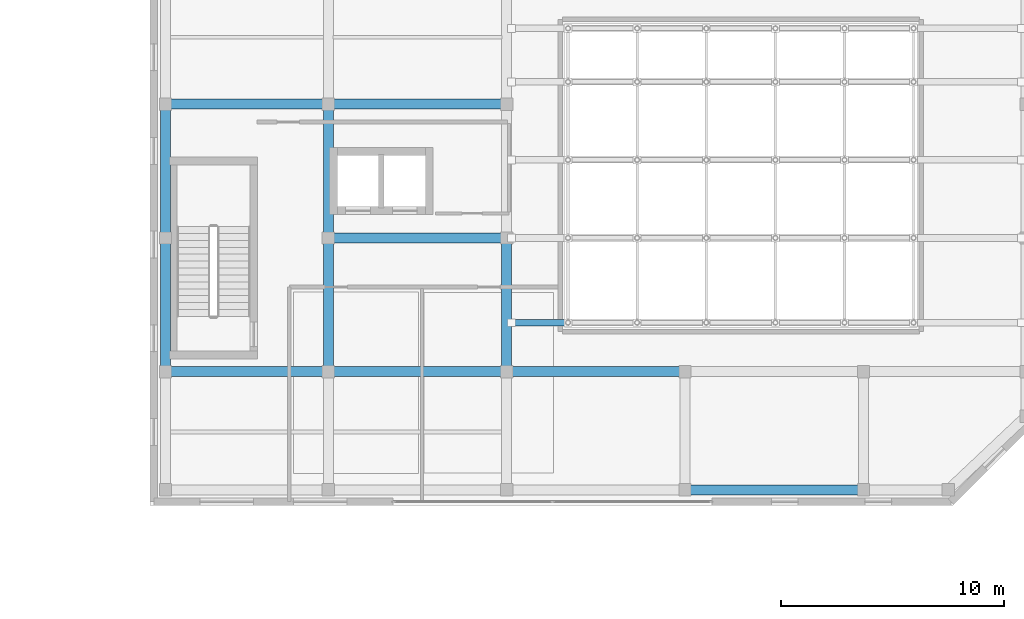
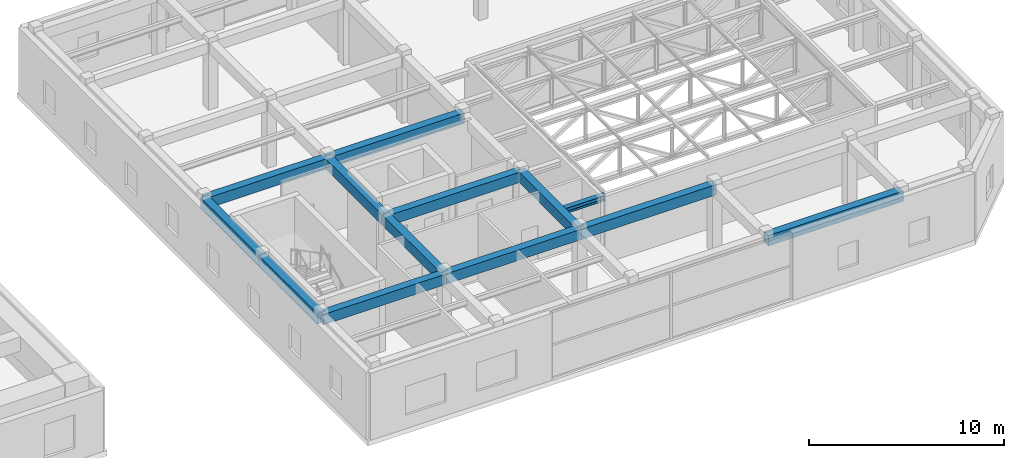
# One storey, part 13 of 33: 12 beams, 1 member.
"""IFC4 building model written with IfcOpenShell, lengths in metres."""

from ifc_helpers import new_model, si_unit, direction, frame, origin, origin_2d, place, context, subcontext, project, spatial, rectangle, i_section, extrude, source, transform, mapped, material, material_profile, profile_set, type_object, element, save


model = new_model("IFC4")

# Units and contexts
model_context = context("Model", 3, precision=1e-05, world=origin(), true_north=direction((0.0, 1.0)))
body_context = subcontext(model_context, "Body", "Model", "MODEL_VIEW")
ifc_project = project(units=[si_unit("LENGTHUNIT", "METRE"), si_unit("AREAUNIT", "SQUARE_METRE"), si_unit("VOLUMEUNIT", "CUBIC_METRE"), si_unit("PLANEANGLEUNIT", "RADIAN"), si_unit("MASSUNIT", "GRAM", prefix="KILO")], contexts=[model_context])

# Site, building, storey
site_placement = place(None, origin())
site = spatial("IfcSite", under=ifc_project, at=site_placement, CompositionType="ELEMENT")
building_placement = place(site_placement, origin())
building = spatial("IfcBuilding", under=site, at=building_placement, Name="Khoralis Quay Care Tower", CompositionType="ELEMENT")
storey_placement = place(building_placement, frame((0.0, 0.0, 18.0)))
storey = spatial("IfcBuildingStorey", under=building, at=storey_placement, Name="L04", CompositionType="ELEMENT", Elevation=18.0)

# Beams
ifc_material_1 = material(Name="Concrete C40/50", Category="concrete")
ifc_material_profile_1 = material_profile(ifc_material_1, rectangle(XDim=0.449951171875, YDim=0.64990234375, at=origin_2d()), Name="Concrete C40/50")
ifc_profile_set_1 = profile_set([ifc_material_profile_1], Name="Concrete C40/50")
beam_type = type_object("IfcBeamType", Name="BM-RC450X650", PredefinedType="BEAM", material=ifc_profile_set_1)
shared_shape_1 = source(origin(), body_context, "Body", "SweptSolid", [
    extrude(rectangle(XDim=0.449951171875, YDim=0.64990234375, at=origin_2d()), origin(), (0.0, 0.0, 1.0), 7.300048828125),
])
for number, where, z_axis, x_axis, name in (
    (1, (68.699951171875, 12.0, 3.864990234375), (1.0, 0.0, 0.0), (0.0, 1.0, 0.0), "BM-SCX-L04-05"),
    (2, (68.699951171875, 24.0, 3.864990234375), (1.0, 0.0, 0.0), (0.0, 1.0, 0.0), "BM-SCX-L04-11"),
):
    element("IfcBeam", number, at=place(storey_placement, frame(where, z_axis=z_axis, x_axis=x_axis)), inside=storey, type_object=beam_type, Name=name, PredefinedType="BEAM", context=body_context, shape_type="MappedRepresentation", body=[
        mapped(shared_shape_1, transform((0.0, 0.0, 0.0), scale=1.0)),
    ])
shared_shape_2 = source(origin(), body_context, "Body", "SweptSolid", [
    extrude(rectangle(XDim=0.449951171875, YDim=0.64990234375, at=origin_2d()), origin(), (0.0, 0.0, 1.0), 8.0),
])
for number, where, z_axis, x_axis, name in (
    (3, (92.0, 6.699951171875, 3.864990234375), (1.0, 0.0, 0.0), (0.0, 1.0, 0.0), "BM-SCX-L04-04"),
    (4, (76.0, 12.0, 3.864990234375), (1.0, 0.0, 0.0), (0.0, 1.0, 0.0), "BM-SCX-L04-06"),
    (5, (84.0, 12.0, 3.864990234375), (1.0, 0.0, 0.0), (0.0, 1.0, 0.0), "BM-SCX-L04-07"),
    (6, (76.0, 18.0, 3.864990234375), (1.0, 0.0, 0.0), (0.0, 1.0, 0.0), "BM-SCX-L04-10"),
    (7, (76.0, 24.0, 3.864990234375), (1.0, 0.0, 0.0), (0.0, 1.0, 0.0), "BM-SCX-L04-12"),
):
    element("IfcBeam", number, at=place(storey_placement, frame(where, z_axis=z_axis, x_axis=x_axis)), inside=storey, type_object=beam_type, Name=name, PredefinedType="BEAM", context=body_context, shape_type="MappedRepresentation", body=[
        mapped(shared_shape_2, transform((0.0, 0.0, 0.0), scale=1.0)),
    ])
shared_shape_3 = source(origin(), body_context, "Body", "SweptSolid", [
    extrude(rectangle(XDim=0.449951171875, YDim=0.64990234375, at=origin_2d()), origin(), (0.0, 0.0, 1.0), 6.0),
])
for number, where, z_axis, x_axis, name in (
    (8, (68.699951171875, 12.0, 3.864990234375), (0.0, 1.0, 0.0), (-1.0, 0.0, 0.0), "BM-SCY-L04-25"),
    (9, (68.699951171875, 18.0, 3.864990234375), (0.0, 1.0, 0.0), (-1.0, 0.0, 0.0), "BM-SCY-L04-26"),
    (10, (76.0, 12.0, 3.864990234375), (0.0, 1.0, 0.0), (-1.0, 0.0, 0.0), "BM-SCY-L04-31"),
    (11, (76.0, 18.0, 3.864990234375), (0.0, 1.0, 0.0), (-1.0, 0.0, 0.0), "BM-SCY-L04-32"),
    (12, (84.0, 12.0, 3.864990234375), (0.0, 1.0, 0.0), (-1.0, 0.0, 0.0), "BM-SCY-L04-37"),
):
    element("IfcBeam", number, at=place(storey_placement, frame(where, z_axis=z_axis, x_axis=x_axis)), inside=storey, type_object=beam_type, Name=name, PredefinedType="BEAM", context=body_context, shape_type="MappedRepresentation", body=[
        mapped(shared_shape_3, transform((0.0, 0.0, 0.0), scale=1.0)),
    ])

# Member
ifc_material_2 = material(Name="Steel S355", Category="steel")
ifc_material_profile_2 = material_profile(ifc_material_2, i_section(OverallWidth=0.300048828125, OverallDepth=0.340087890625, WebThickness=0.011962890625, FlangeThickness=0.021484375, FilletRadius=0.027099609375, at=origin_2d()), Name="Steel S355")
ifc_profile_set_2 = profile_set([ifc_material_profile_2], Name="Steel S355")
member_type = type_object("IfcMemberType", Name="CH-HEB340", PredefinedType="CHORD", material=ifc_profile_set_2)
shared_shape_4 = source(origin(), body_context, "Body", "SweptSolid", [
    extrude(i_section(OverallWidth=0.300048828125, OverallDepth=0.340087890625, WebThickness=0.011962890625, FlangeThickness=0.021484375, FilletRadius=0.027099609375, at=origin_2d()), origin(), (0.0, 0.0, 1.0), 2.534912109375),
])
member_placement = place(storey_placement, frame((84.215087890625, 14.199951171875, 3.800048828125), z_axis=(1.0, 0.0, 0.0), x_axis=(0.0, 1.0, 0.0)))
element("IfcMember", 13, at=member_placement, inside=storey, type_object=member_type, Name="MBR-SCTC-1-W", PredefinedType="CHORD", context=body_context, shape_type="MappedRepresentation", body=[
    mapped(shared_shape_4, transform((0.0, 0.0, 0.0), scale=1.0)),
])

save(model, "model.ifc")
